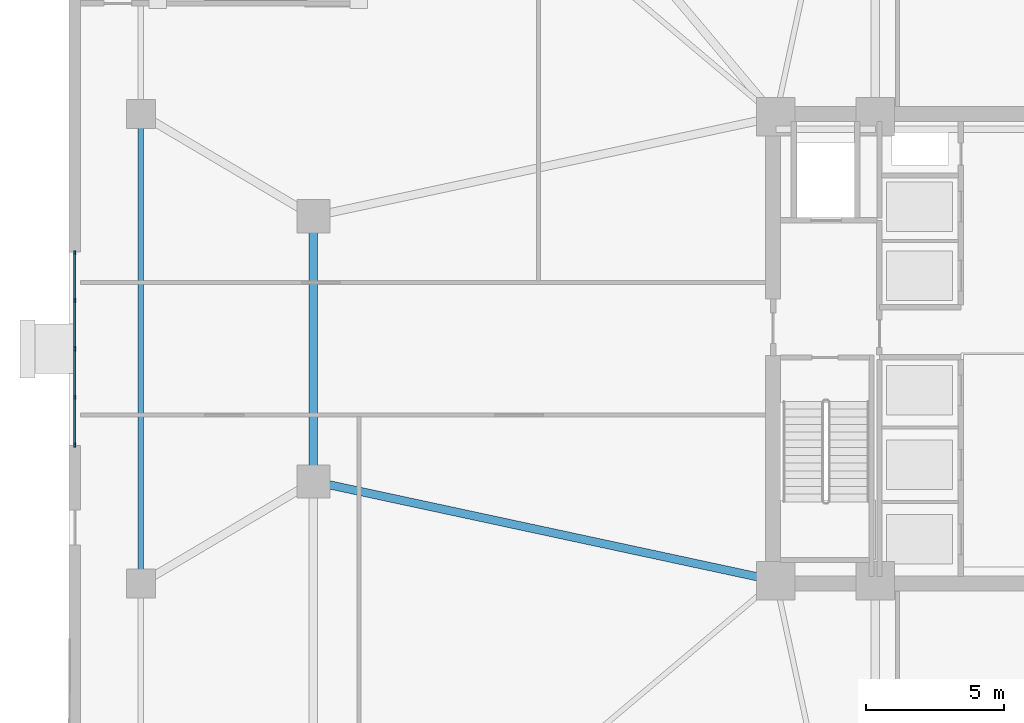
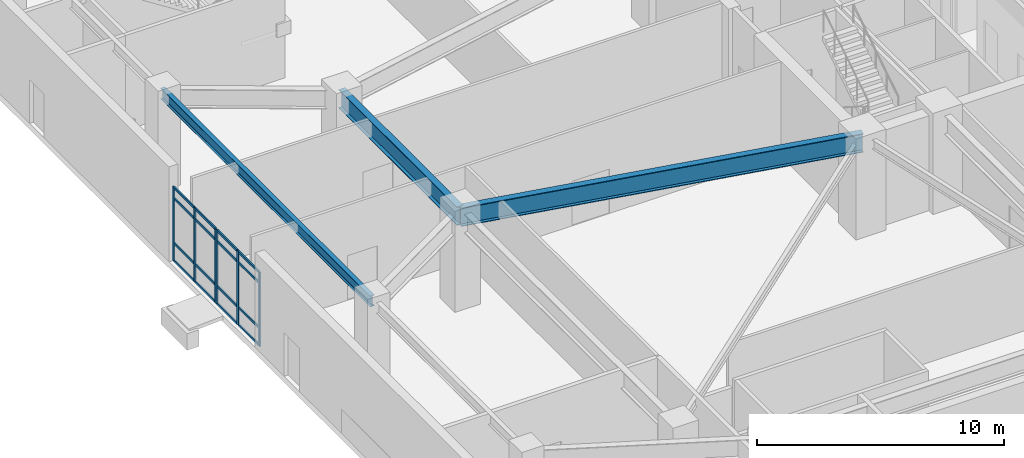
# One storey, part 2 of 21: 22 members, 3 beams, 2 elements without a shape of their own.
"""IFC4 building model written with IfcOpenShell, lengths in metres."""

from ifc_helpers import new_model, si_unit, direction, frame, origin, origin_2d, place, context, subcontext, project, spatial, rectangle, i_section, extrude, material, layer, layer_set, material_profile, profile_set, type_object, element, aggregate, save


model = new_model("IFC4")

# Units and contexts
model_context = context("Model", 3, precision=1e-05, world=origin(), true_north=direction((0.0, 1.0)))
body_context = subcontext(model_context, "Body", "Model", "MODEL_VIEW")
ifc_project = project(units=[si_unit("LENGTHUNIT", "METRE"), si_unit("AREAUNIT", "SQUARE_METRE"), si_unit("VOLUMEUNIT", "CUBIC_METRE"), si_unit("PLANEANGLEUNIT", "RADIAN"), si_unit("MASSUNIT", "GRAM", prefix="KILO")], contexts=[model_context])

# Site, building, storey
site_placement = place(None, origin())
site = spatial("IfcSite", under=ifc_project, at=site_placement, CompositionType="ELEMENT")
building_placement = place(site_placement, origin())
building = spatial("IfcBuilding", under=site, at=building_placement, Name="Cairnveth Concourse Tower", CompositionType="ELEMENT")
storey_placement = place(building_placement, origin())
storey = spatial("IfcBuildingStorey", under=building, at=storey_placement, Name="L00", CompositionType="ELEMENT", Elevation=0.0)

# Curtain wall, members
ifc_material_1 = material(Name="Architectural Bronze Anodised Aluminium 6063-T6", Category="aluminium")
ifc_layer = layer(ifc_material_1, 0.340087890625)
ifc_layer_set = layer_set([ifc_layer], Name="Architectural Bronze Anodised Aluminium 6063-T6")
curtain_wall_type = type_object("IfcCurtainWallType", Name="PODIUM RETAIL SHOPFRONT CURTAIN WALL", PredefinedType="USERDEFINED", material=ifc_layer_set)
curtain_wall_1_placement = place(storey_placement, origin())
curtain_wall_1 = element("IfcCurtainWall", 1, at=curtain_wall_1_placement, inside=storey, type_object=curtain_wall_type, Name="Curtain Wall CW-L00-W-SHOP1", ObjectType="SHOPFRONT GLAZING", PredefinedType="USERDEFINED")
ifc_material_profile_1 = material_profile(ifc_material_1, rectangle(XDim=0.06494140625, YDim=0.14990234375, at=origin_2d()), Name="AL-MUL-65x150")
ifc_profile_set_1 = profile_set([ifc_material_profile_1], Name="Architectural Bronze Anodised Aluminium 6063-T6")
member_type_1 = type_object("IfcMemberType", Name="BRONZE CURTAIN WALL MULLION AL-MUL-65x150", PredefinedType="MULLION", material=ifc_profile_set_1)
member_1_placement = place(storey_placement, frame((18.2099609375, 35.517578125, 0.0), z_axis=(0.0, 0.0, 1.0), x_axis=(-1.0, 0.0, 0.0)))
member_1 = element("IfcMember", 2, at=member_1_placement, type_object=member_type_1, Name="CWS2 mullion 1", PredefinedType="MULLION", context=body_context, shape_type="SweptSolid", body=[
    extrude(rectangle(XDim=0.06494140625, YDim=0.14990234375, at=origin_2d()), origin(), (0.0, 0.0, 1.0), 3.676025390625),
])
member_2_placement = place(storey_placement, frame((18.2099609375, 37.25, 0.0), z_axis=(0.0, 0.0, 1.0), x_axis=(-1.0, 0.0, 0.0)))
member_2 = element("IfcMember", 3, at=member_2_placement, type_object=member_type_1, Name="CWS2 mullion 2", PredefinedType="MULLION", context=body_context, shape_type="SweptSolid", body=[
    extrude(rectangle(XDim=0.06494140625, YDim=0.14990234375, at=origin_2d()), origin(), (0.0, 0.0, 1.0), 3.676025390625),
])
member_3_placement = place(storey_placement, frame((18.2099609375, 38.982421875, 0.0), z_axis=(0.0, 0.0, 1.0), x_axis=(-1.0, 0.0, 0.0)))
member_3 = element("IfcMember", 4, at=member_3_placement, type_object=member_type_1, Name="CWS2 mullion 3", PredefinedType="MULLION", context=body_context, shape_type="SweptSolid", body=[
    extrude(rectangle(XDim=0.06494140625, YDim=0.14990234375, at=origin_2d()), origin(), (0.0, 0.0, 1.0), 3.676025390625),
])

curtain_wall_2_placement = place(storey_placement, origin())
curtain_wall_2 = element("IfcCurtainWall", 5, at=curtain_wall_2_placement, inside=storey, type_object=curtain_wall_type, Name="Curtain Wall CW-L00-W-SHOP2", ObjectType="SHOPFRONT GLAZING", PredefinedType="USERDEFINED")
member_4_placement = place(storey_placement, frame((18.2099609375, 39.017578125, 0.0), z_axis=(0.0, 0.0, 1.0), x_axis=(-1.0, 0.0, 0.0)))
member_4 = element("IfcMember", 6, at=member_4_placement, type_object=member_type_1, Name="CWS2 mullion 1", PredefinedType="MULLION", context=body_context, shape_type="SweptSolid", body=[
    extrude(rectangle(XDim=0.06494140625, YDim=0.14990234375, at=origin_2d()), origin(), (0.0, 0.0, 1.0), 3.676025390625),
])
member_5_placement = place(storey_placement, frame((18.2099609375, 40.75, 0.0), z_axis=(0.0, 0.0, 1.0), x_axis=(-1.0, 0.0, 0.0)))
member_5 = element("IfcMember", 7, at=member_5_placement, type_object=member_type_1, Name="CWS2 mullion 2", PredefinedType="MULLION", context=body_context, shape_type="SweptSolid", body=[
    extrude(rectangle(XDim=0.06494140625, YDim=0.14990234375, at=origin_2d()), origin(), (0.0, 0.0, 1.0), 3.676025390625),
])
member_6_placement = place(storey_placement, frame((18.2099609375, 42.482421875, 0.0), z_axis=(0.0, 0.0, 1.0), x_axis=(-1.0, 0.0, 0.0)))
member_6 = element("IfcMember", 8, at=member_6_placement, type_object=member_type_1, Name="CWS2 mullion 3", PredefinedType="MULLION", context=body_context, shape_type="SweptSolid", body=[
    extrude(rectangle(XDim=0.06494140625, YDim=0.14990234375, at=origin_2d()), origin(), (0.0, 0.0, 1.0), 3.676025390625),
])

# Member
ifc_material_profile_2 = material_profile(ifc_material_1, rectangle(XDim=0.06494140625, YDim=0.1201171875, at=origin_2d()), Name="AL-TRN-65x120")
ifc_profile_set_2 = profile_set([ifc_material_profile_2], Name="Architectural Bronze Anodised Aluminium 6063-T6")
member_type_2 = type_object("IfcMemberType", Name="BRONZE CURTAIN WALL TRANSOM AL-TRN-65x120", PredefinedType="USERDEFINED", material=ifc_profile_set_2)
member_7_placement = place(storey_placement, frame((18.2099609375, 35.550048828125, 0.032470703125), z_axis=(0.0, 1.0, 0.0), x_axis=(-1.0, 0.0, 0.0)))
member_7 = element("IfcMember", 9, at=member_7_placement, type_object=member_type_2, Name="CWS2 transom 1.1", ObjectType="TRANSOM", PredefinedType="USERDEFINED", context=body_context, shape_type="SweptSolid", body=[
    extrude(rectangle(XDim=0.06494140625, YDim=0.1201171875, at=origin_2d()), origin(), (0.0, 0.0, 1.0), 1.66748046875),
])

member_8_placement = place(storey_placement, frame((18.2099609375, 35.550048828125, 0.89990234375), z_axis=(0.0, 1.0, 0.0), x_axis=(-1.0, 0.0, 0.0)))
member_8 = element("IfcMember", 10, at=member_8_placement, type_object=member_type_2, Name="CWS2 transom 1.2", ObjectType="TRANSOM", PredefinedType="USERDEFINED", context=body_context, shape_type="SweptSolid", body=[
    extrude(rectangle(XDim=0.06494140625, YDim=0.1201171875, at=origin_2d()), origin(), (0.0, 0.0, 1.0), 1.66748046875),
])

member_9_placement = place(storey_placement, frame((18.2099609375, 35.550048828125, 3.1259765625), z_axis=(0.0, 1.0, 0.0), x_axis=(-1.0, 0.0, 0.0)))
member_9 = element("IfcMember", 11, at=member_9_placement, type_object=member_type_2, Name="CWS2 transom 1.3", ObjectType="TRANSOM", PredefinedType="USERDEFINED", context=body_context, shape_type="SweptSolid", body=[
    extrude(rectangle(XDim=0.06494140625, YDim=0.1201171875, at=origin_2d()), origin(), (0.0, 0.0, 1.0), 1.66748046875),
])

member_10_placement = place(storey_placement, frame((18.2099609375, 35.550048828125, 3.6435546875), z_axis=(0.0, 1.0, 0.0), x_axis=(-1.0, 0.0, 0.0)))
member_10 = element("IfcMember", 12, at=member_10_placement, type_object=member_type_2, Name="CWS2 transom 1.4", ObjectType="TRANSOM", PredefinedType="USERDEFINED", context=body_context, shape_type="SweptSolid", body=[
    extrude(rectangle(XDim=0.06494140625, YDim=0.1201171875, at=origin_2d()), origin(), (0.0, 0.0, 1.0), 1.66748046875),
])

member_11_placement = place(storey_placement, frame((18.2099609375, 37.282470703125, 0.032470703125), z_axis=(0.0, 1.0, 0.0), x_axis=(-1.0, 0.0, 0.0)))
member_11 = element("IfcMember", 13, at=member_11_placement, type_object=member_type_2, Name="CWS2 transom 2.1", ObjectType="TRANSOM", PredefinedType="USERDEFINED", context=body_context, shape_type="SweptSolid", body=[
    extrude(rectangle(XDim=0.06494140625, YDim=0.1201171875, at=origin_2d()), origin(), (0.0, 0.0, 1.0), 1.66748046875),
])

member_12_placement = place(storey_placement, frame((18.2099609375, 37.282470703125, 0.89990234375), z_axis=(0.0, 1.0, 0.0), x_axis=(-1.0, 0.0, 0.0)))
member_12 = element("IfcMember", 14, at=member_12_placement, type_object=member_type_2, Name="CWS2 transom 2.2", ObjectType="TRANSOM", PredefinedType="USERDEFINED", context=body_context, shape_type="SweptSolid", body=[
    extrude(rectangle(XDim=0.06494140625, YDim=0.1201171875, at=origin_2d()), origin(), (0.0, 0.0, 1.0), 1.66748046875),
])

member_13_placement = place(storey_placement, frame((18.2099609375, 37.282470703125, 3.1259765625), z_axis=(0.0, 1.0, 0.0), x_axis=(-1.0, 0.0, 0.0)))
member_13 = element("IfcMember", 15, at=member_13_placement, type_object=member_type_2, Name="CWS2 transom 2.3", ObjectType="TRANSOM", PredefinedType="USERDEFINED", context=body_context, shape_type="SweptSolid", body=[
    extrude(rectangle(XDim=0.06494140625, YDim=0.1201171875, at=origin_2d()), origin(), (0.0, 0.0, 1.0), 1.66748046875),
])

member_14_placement = place(storey_placement, frame((18.2099609375, 37.282470703125, 3.6435546875), z_axis=(0.0, 1.0, 0.0), x_axis=(-1.0, 0.0, 0.0)))
member_14 = element("IfcMember", 16, at=member_14_placement, type_object=member_type_2, Name="CWS2 transom 2.4", ObjectType="TRANSOM", PredefinedType="USERDEFINED", context=body_context, shape_type="SweptSolid", body=[
    extrude(rectangle(XDim=0.06494140625, YDim=0.1201171875, at=origin_2d()), origin(), (0.0, 0.0, 1.0), 1.66748046875),
])

aggregate(curtain_wall_1, [member_1, member_2, member_3, member_7, member_8, member_9, member_10, member_11, member_12, member_13, member_14])

member_15_placement = place(storey_placement, frame((18.2099609375, 39.050048828125, 0.032470703125), z_axis=(0.0, 1.0, 0.0), x_axis=(-1.0, 0.0, 0.0)))
member_15 = element("IfcMember", 17, at=member_15_placement, type_object=member_type_2, Name="CWS2 transom 1.1", ObjectType="TRANSOM", PredefinedType="USERDEFINED", context=body_context, shape_type="SweptSolid", body=[
    extrude(rectangle(XDim=0.06494140625, YDim=0.1201171875, at=origin_2d()), origin(), (0.0, 0.0, 1.0), 1.66748046875),
])

member_16_placement = place(storey_placement, frame((18.2099609375, 39.050048828125, 0.89990234375), z_axis=(0.0, 1.0, 0.0), x_axis=(-1.0, 0.0, 0.0)))
member_16 = element("IfcMember", 18, at=member_16_placement, type_object=member_type_2, Name="CWS2 transom 1.2", ObjectType="TRANSOM", PredefinedType="USERDEFINED", context=body_context, shape_type="SweptSolid", body=[
    extrude(rectangle(XDim=0.06494140625, YDim=0.1201171875, at=origin_2d()), origin(), (0.0, 0.0, 1.0), 1.66748046875),
])

member_17_placement = place(storey_placement, frame((18.2099609375, 39.050048828125, 3.1259765625), z_axis=(0.0, 1.0, 0.0), x_axis=(-1.0, 0.0, 0.0)))
member_17 = element("IfcMember", 19, at=member_17_placement, type_object=member_type_2, Name="CWS2 transom 1.3", ObjectType="TRANSOM", PredefinedType="USERDEFINED", context=body_context, shape_type="SweptSolid", body=[
    extrude(rectangle(XDim=0.06494140625, YDim=0.1201171875, at=origin_2d()), origin(), (0.0, 0.0, 1.0), 1.66748046875),
])

member_18_placement = place(storey_placement, frame((18.2099609375, 39.050048828125, 3.6435546875), z_axis=(0.0, 1.0, 0.0), x_axis=(-1.0, 0.0, 0.0)))
member_18 = element("IfcMember", 20, at=member_18_placement, type_object=member_type_2, Name="CWS2 transom 1.4", ObjectType="TRANSOM", PredefinedType="USERDEFINED", context=body_context, shape_type="SweptSolid", body=[
    extrude(rectangle(XDim=0.06494140625, YDim=0.1201171875, at=origin_2d()), origin(), (0.0, 0.0, 1.0), 1.66748046875),
])

member_19_placement = place(storey_placement, frame((18.2099609375, 40.782470703125, 0.032470703125), z_axis=(0.0, 1.0, 0.0), x_axis=(-1.0, 0.0, 0.0)))
member_19 = element("IfcMember", 21, at=member_19_placement, type_object=member_type_2, Name="CWS2 transom 2.1", ObjectType="TRANSOM", PredefinedType="USERDEFINED", context=body_context, shape_type="SweptSolid", body=[
    extrude(rectangle(XDim=0.06494140625, YDim=0.1201171875, at=origin_2d()), origin(), (0.0, 0.0, 1.0), 1.66748046875),
])

member_20_placement = place(storey_placement, frame((18.2099609375, 40.782470703125, 0.89990234375), z_axis=(0.0, 1.0, 0.0), x_axis=(-1.0, 0.0, 0.0)))
member_20 = element("IfcMember", 22, at=member_20_placement, type_object=member_type_2, Name="CWS2 transom 2.2", ObjectType="TRANSOM", PredefinedType="USERDEFINED", context=body_context, shape_type="SweptSolid", body=[
    extrude(rectangle(XDim=0.06494140625, YDim=0.1201171875, at=origin_2d()), origin(), (0.0, 0.0, 1.0), 1.66748046875),
])

member_21_placement = place(storey_placement, frame((18.2099609375, 40.782470703125, 3.1259765625), z_axis=(0.0, 1.0, 0.0), x_axis=(-1.0, 0.0, 0.0)))
member_21 = element("IfcMember", 23, at=member_21_placement, type_object=member_type_2, Name="CWS2 transom 2.3", ObjectType="TRANSOM", PredefinedType="USERDEFINED", context=body_context, shape_type="SweptSolid", body=[
    extrude(rectangle(XDim=0.06494140625, YDim=0.1201171875, at=origin_2d()), origin(), (0.0, 0.0, 1.0), 1.66748046875),
])

member_22_placement = place(storey_placement, frame((18.2099609375, 40.782470703125, 3.6435546875), z_axis=(0.0, 1.0, 0.0), x_axis=(-1.0, 0.0, 0.0)))
member_22 = element("IfcMember", 24, at=member_22_placement, type_object=member_type_2, Name="CWS2 transom 2.4", ObjectType="TRANSOM", PredefinedType="USERDEFINED", context=body_context, shape_type="SweptSolid", body=[
    extrude(rectangle(XDim=0.06494140625, YDim=0.1201171875, at=origin_2d()), origin(), (0.0, 0.0, 1.0), 1.66748046875),
])

aggregate(curtain_wall_2, [member_4, member_5, member_6, member_15, member_16, member_17, member_18, member_19, member_20, member_21, member_22])

# Beams
ifc_material_2 = material(Name="Steel Grade 350", Category="steel")
ifc_material_profile_3 = material_profile(ifc_material_2, i_section(OverallWidth=0.208984375, OverallDepth=0.532958984375, WebThickness=0.01025390625, FlangeThickness=0.015625, FilletRadius=0.013916015625, at=origin_2d()), Name="530UB92.4")
ifc_profile_set_3 = profile_set([ifc_material_profile_3], Name="Steel Grade 350")
beam_type_1 = type_object("IfcBeamType", Name="PODIUM EDGE SPANDREL 530UB92.4", PredefinedType="SPANDREL", material=ifc_profile_set_3)
beam_1_placement = place(storey_placement, frame((20.60009765625, 30.5, 4.43359375), z_axis=(0.0, 1.0, 0.0), x_axis=(-1.0, 0.0, 0.0)))
element("IfcBeam", 25, at=beam_1_placement, inside=storey, type_object=beam_type_1, Name="Beam PSP-W2 L00", PredefinedType="SPANDREL", context=body_context, shape_type="SweptSolid", body=[
    extrude(i_section(OverallWidth=0.208984375, OverallDepth=0.532958984375, WebThickness=0.01025390625, FlangeThickness=0.015625, FilletRadius=0.013916015625, at=origin_2d()), origin(), (0.0, 0.0, 1.0), 17.0),
])
ifc_material_profile_4 = material_profile(ifc_material_2, i_section(OverallWidth=0.300048828125, OverallDepth=0.924072265625, WebThickness=0.013916015625, FlangeThickness=0.031982421875, at=origin_2d()), Name="900WB257")
ifc_profile_set_4 = profile_set([ifc_material_profile_4], Name="Steel Grade 350")
beam_type_2 = type_object("IfcBeamType", Name="PODIUM PRIMARY GIRDER 900WB257", PredefinedType="BEAM", material=ifc_profile_set_4)
beam_2_placement = place(storey_placement, frame((26.85009765625, 34.199951171875, 4.238037109375), z_axis=(0.977675861524, -0.210118799239, 0.0), x_axis=(0.210118799239, 0.977675861524, 0.0)))
element("IfcBeam", 26, at=beam_2_placement, inside=storey, type_object=beam_type_2, Name="Beam PG-W1B L00", PredefinedType="BEAM", context=body_context, shape_type="SweptSolid", body=[
    extrude(i_section(OverallWidth=0.300048828125, OverallDepth=0.924072265625, WebThickness=0.013916015625, FlangeThickness=0.031982421875, at=origin_2d()), origin(), (0.0, 0.0, 1.0), 17.132568359375),
])
beam_3_placement = place(storey_placement, frame((26.85009765625, 34.199951171875, 4.238037109375), z_axis=(0.0, 1.0, 0.0), x_axis=(-1.0, 0.0, 0.0)))
element("IfcBeam", 27, at=beam_3_placement, inside=storey, type_object=beam_type_2, Name="Beam PR-W2 L00", PredefinedType="BEAM", context=body_context, shape_type="SweptSolid", body=[
    extrude(i_section(OverallWidth=0.300048828125, OverallDepth=0.924072265625, WebThickness=0.013916015625, FlangeThickness=0.031982421875, at=origin_2d()), origin(), (0.0, 0.0, 1.0), 9.60009765625),
])

save(model, "model.ifc")
